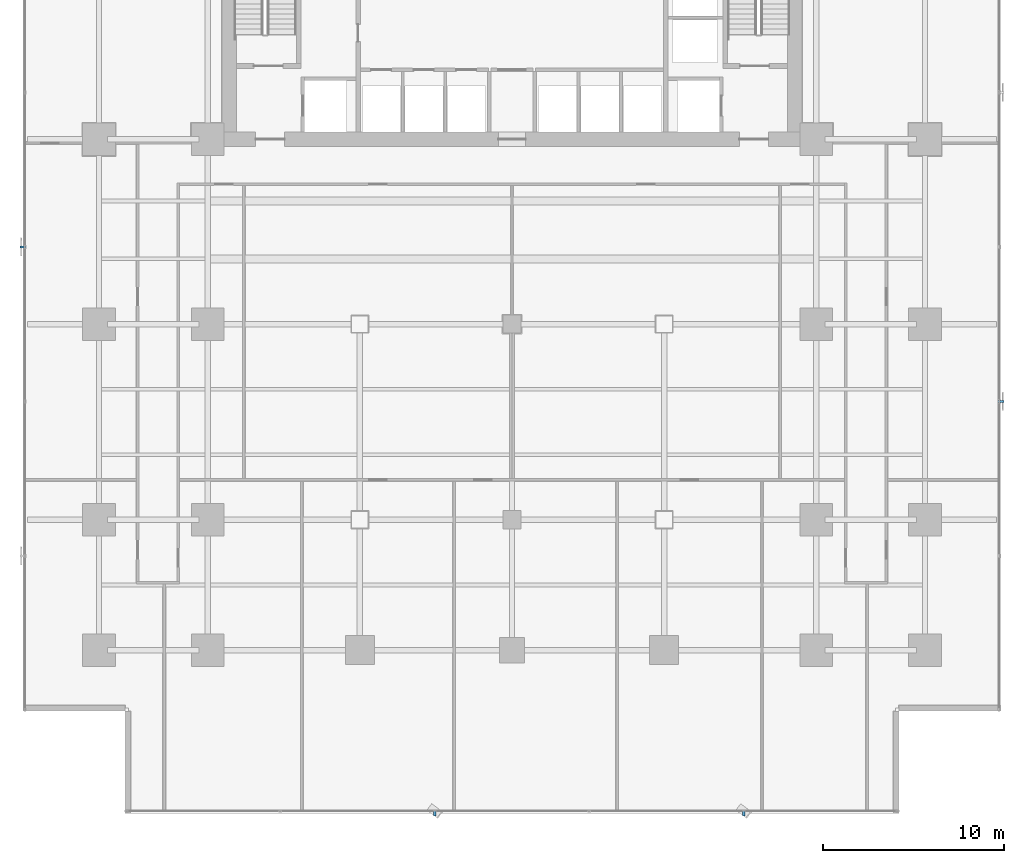
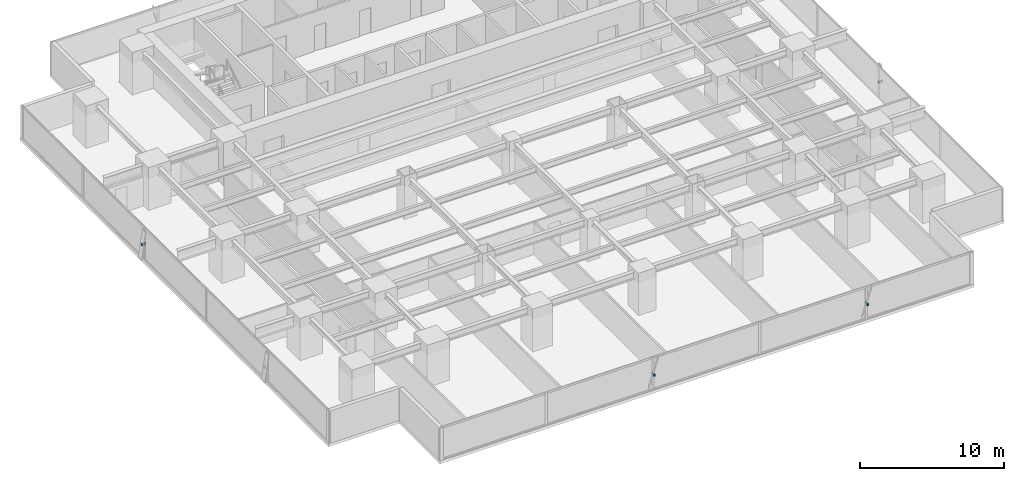
# One storey, part 28 of 34: 4 discrete accessories.
"""IFC4 building model written with IfcOpenShell, lengths in metres."""

from ifc_helpers import new_model, si_unit, direction, frame, origin, origin_2d, place, context, subcontext, project, spatial, rectangle, extrude, source, transform, mapped, material, material_profile, profile_set, type_object, element, save


model = new_model("IFC4")

# Units and contexts
model_context = context("Model", 3, precision=1e-05, world=origin(), true_north=direction((0.0, 1.0)))
body_context = subcontext(model_context, "Body", "Model", "MODEL_VIEW")
ifc_project = project(units=[si_unit("LENGTHUNIT", "METRE"), si_unit("AREAUNIT", "SQUARE_METRE"), si_unit("VOLUMEUNIT", "CUBIC_METRE"), si_unit("PLANEANGLEUNIT", "RADIAN"), si_unit("MASSUNIT", "GRAM", prefix="KILO")], contexts=[model_context])

# Site, building, storey
site_placement = place(None, origin())
site = spatial("IfcSite", under=ifc_project, at=site_placement, CompositionType="ELEMENT")
building_placement = place(site_placement, origin())
building = spatial("IfcBuilding", under=site, at=building_placement, Name="Sumidabori Civic Tower", CompositionType="ELEMENT")
storey_placement = place(building_placement, frame((0.0, 0.0, 41.60009765625)))
storey = spatial("IfcBuildingStorey", under=building, at=storey_placement, Name="L10", CompositionType="ELEMENT", Elevation=41.60009765625)

# Discrete accessories
ifc_material = material(Name="Stainless Steel Hairline Finish", Category="steel")
ifc_material_profile = material_profile(ifc_material, rectangle(XDim=0.1201171875, YDim=0.179931640625, at=origin_2d()), Name="STEEL BRACKET 180x120")
ifc_profile_set = profile_set([ifc_material_profile], Name="Stainless Steel Hairline Finish")
discrete_accessory_type = type_object("IfcDiscreteAccessoryType", Name="AC-BRK-180", PredefinedType="BRACKET", material=ifc_profile_set)
shared_shape = source(origin(), body_context, "Body", "SweptSolid", [
    extrude(rectangle(XDim=0.1201171875, YDim=0.179931640625, at=origin_2d()), origin(), (0.0, 0.0, 1.0), 0.329833984375),
])
for number, where, z_axis, x_axis, name in (
    (1, (-4.263916015625, -26.830078125, 1.35986328125), (0.0, -1.0, 0.0), (1.0, 0.0, 0.0), "Bronze Fin Fixing Bracket L10-02"),
    (2, (12.7919921875, -26.830078125, 1.35986328125), (0.0, -1.0, 0.0), (1.0, 0.0, 0.0), "Bronze Fin Fixing Bracket L10-04"),
    (3, (26.830078125, -4.263916015625, 1.35986328125), (1.0, 0.0, 0.0), (0.0, 1.0, 0.0), "Bronze Fin Fixing Bracket L10-02"),
    (4, (-26.830078125, 4.263916015625, 1.35986328125), (-1.0, 0.0, 0.0), (0.0, -1.0, 0.0), "Bronze Fin Fixing Bracket L10-02"),
):
    element("IfcDiscreteAccessory", number, at=place(storey_placement, frame(where, z_axis=z_axis, x_axis=x_axis)), inside=storey, type_object=discrete_accessory_type, Name=name, PredefinedType="BRACKET", context=body_context, shape_type="MappedRepresentation", body=[
        mapped(shared_shape, transform((0.0, 0.0, 0.0), x_axis=(1.0, 0.0, 0.0), y_axis=(0.0, 1.0, 0.0), z_axis=(0.0, 0.0, 1.0), scale=1.0)),
    ])

save(model, "model.ifc")
